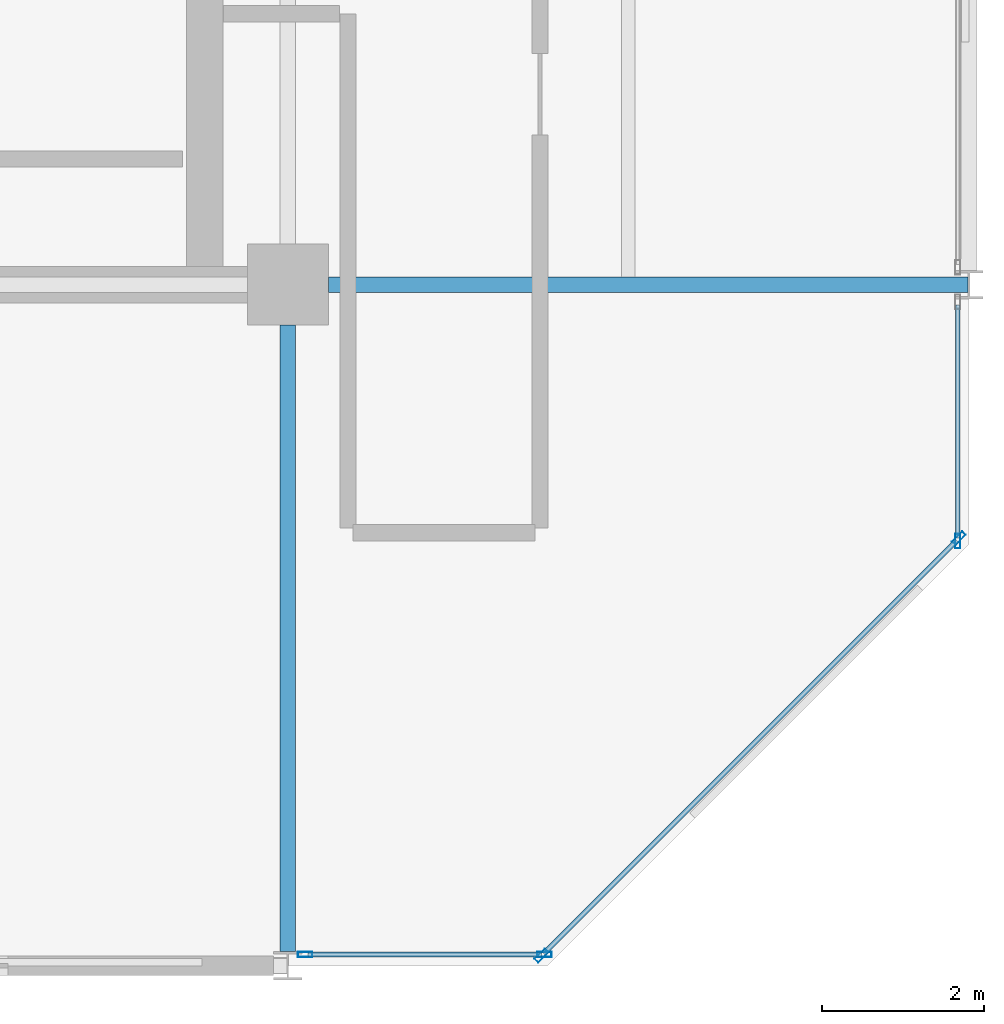
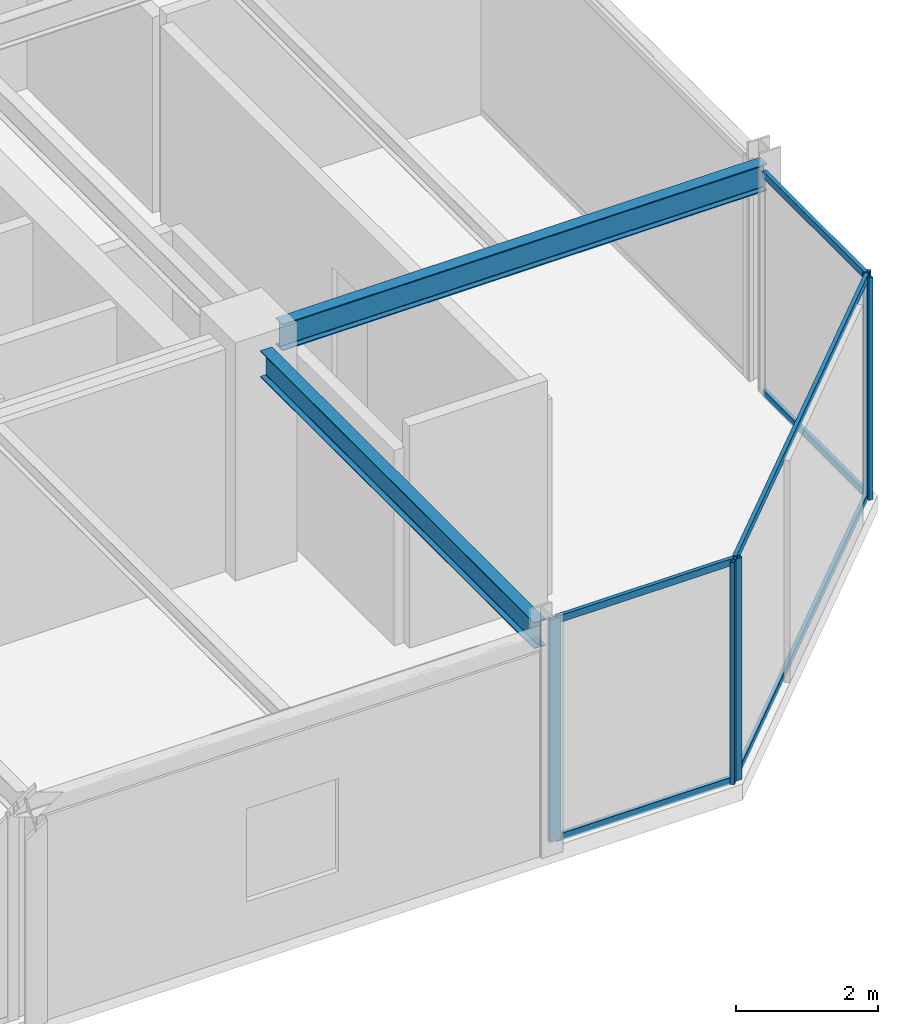
# One storey, part 13 of 25: 11 members, 2 beams, 3 elements without a shape of their own.
"""IFC4 building model written with IfcOpenShell, lengths in metres."""

from ifc_helpers import new_model, si_unit, direction, frame, origin, origin_2d, place, context, subcontext, project, spatial, hollow_rectangle, i_section, extrude, material, layer, layer_set, material_profile, profile_set, type_object, element, aggregate, save


model = new_model("IFC4")

# Units and contexts
model_context = context("Model", 3, precision=1e-05, world=origin(), true_north=direction((0.0, 1.0)))
body_context = subcontext(model_context, "Body", "Model", "MODEL_VIEW")
ifc_project = project(units=[si_unit("LENGTHUNIT", "METRE"), si_unit("AREAUNIT", "SQUARE_METRE"), si_unit("VOLUMEUNIT", "CUBIC_METRE"), si_unit("PLANEANGLEUNIT", "RADIAN"), si_unit("MASSUNIT", "GRAM", prefix="KILO")], contexts=[model_context])

# Site, building, storey
site_placement = place(None, origin())
site = spatial("IfcSite", under=ifc_project, at=site_placement, CompositionType="ELEMENT")
building_placement = place(site_placement, origin())
building = spatial("IfcBuilding", under=site, at=building_placement, Name="Nerrivon Quay Data Exchange", CompositionType="ELEMENT")
storey_placement = place(building_placement, frame((0.0, 0.0, 232.89990234375)))
storey = spatial("IfcBuildingStorey", under=building, at=storey_placement, Name="L55", CompositionType="ELEMENT", Elevation=232.89990234375)

# Beams
ifc_material_1 = material(Name="Steel Grade 350", Category="steel")
ifc_material_profile_1 = material_profile(ifc_material_1, i_section(OverallWidth=0.19091796875, OverallDepth=0.4599609375, WebThickness=0.010009765625, FlangeThickness=0.01611328125, FilletRadius=0.011474609375, at=origin_2d()), Name="460UB82.1")
ifc_profile_set_1 = profile_set([ifc_material_profile_1], Name="Steel Grade 350")
beam_type_1 = type_object("IfcBeamType", Name="BM-G5-460UB82", PredefinedType="BEAM", material=ifc_profile_set_1)
beam_1_placement = place(storey_placement, frame((34.10009765625, 8.39990234375, 3.59521484375), z_axis=(1.0, 0.0, 0.0), x_axis=(0.0, 1.0, 0.0)))
element("IfcBeam", 1, at=beam_1_placement, inside=storey, type_object=beam_type_1, Name="L55 EW Girder Y=8.4 (33.6..42.0)", PredefinedType="BEAM", context=body_context, shape_type="SweptSolid", body=[
    extrude(i_section(OverallWidth=0.19091796875, OverallDepth=0.4599609375, WebThickness=0.010009765625, FlangeThickness=0.01611328125, FilletRadius=0.011474609375, at=origin_2d()), origin(), (0.0, 0.0, 1.0), 7.889892578125),
])
ifc_material_profile_2 = material_profile(ifc_material_1, i_section(OverallWidth=0.18994140625, OverallDepth=0.4541015625, WebThickness=0.008544921875, FlangeThickness=0.0126953125, FilletRadius=0.011474609375, at=origin_2d()), Name="460UB67.1")
ifc_profile_set_2 = profile_set([ifc_material_profile_2], Name="Steel Grade 350")
beam_type_2 = type_object("IfcBeamType", Name="BM-G6-460UB67", PredefinedType="BEAM", material=ifc_profile_set_2)
beam_2_placement = place(storey_placement, frame((33.60009765625, 0.175048828125, 3.59814453125), z_axis=(0.0, 1.0, 0.0), x_axis=(-1.0, 0.0, 0.0)))
element("IfcBeam", 2, at=beam_2_placement, inside=storey, type_object=beam_type_2, Name="L55 NS Girder X=33.6 (0.0..8.4)", PredefinedType="BEAM", context=body_context, shape_type="SweptSolid", body=[
    extrude(i_section(OverallWidth=0.18994140625, OverallDepth=0.4541015625, WebThickness=0.008544921875, FlangeThickness=0.0126953125, FilletRadius=0.011474609375, at=origin_2d()), origin(), (0.0, 0.0, 1.0), 7.724853515625),
])

# Curtain wall, members
ifc_material_2 = material(Name="Anodised aluminium 6063-T6", Category="aluminium")
ifc_layer = layer(ifc_material_2, 0.195068359375)
ifc_layer_set = layer_set([ifc_layer], Name="Anodised aluminium 6063-T6")
curtain_wall_type = type_object("IfcCurtainWallType", Name="CW-SYS-06", PredefinedType="NOTDEFINED", material=ifc_layer_set)
curtain_wall_1_placement = place(storey_placement, origin())
curtain_wall_1 = element("IfcCurtainWall", 3, at=curtain_wall_1_placement, inside=storey, type_object=curtain_wall_type, Name="L55 Unitised Curtain Wall 1", PredefinedType="NOTDEFINED")
ifc_material_profile_3 = material_profile(ifc_material_2, hollow_rectangle(XDim=0.06494140625, YDim=0.179931640625, WallThickness=0.00341796875, at=origin_2d()), Name="ALU-MULL-180x65")
ifc_profile_set_3 = profile_set([ifc_material_profile_3], Name="Anodised aluminium 6063-T6")
member_type_1 = type_object("IfcMemberType", Name="CWM-180x65", PredefinedType="MULLION", material=ifc_profile_set_3)
member_1_placement = place(storey_placement, frame((41.87451171875, 5.2724609375, 0.0), z_axis=(0.0, 0.0, 1.0), x_axis=(0.707106781187, -0.707106781187, 0.0)))
member_1 = element("IfcMember", 4, at=member_1_placement, type_object=member_type_1, Name="CW06 mullion 1", PredefinedType="MULLION", context=body_context, shape_type="SweptSolid", body=[
    extrude(hollow_rectangle(XDim=0.06494140625, YDim=0.179931640625, WallThickness=0.00341796875, at=origin_2d()), origin(), (0.0, 0.0, 1.0), 3.8251953125),
])
member_2_placement = place(storey_placement, frame((36.7275390625, 0.12548828125, 0.0), z_axis=(0.0, 0.0, 1.0), x_axis=(0.707106781187, -0.707106781187, 0.0)))
member_2 = element("IfcMember", 5, at=member_2_placement, type_object=member_type_1, Name="CW06 mullion 2", PredefinedType="MULLION", context=body_context, shape_type="SweptSolid", body=[
    extrude(hollow_rectangle(XDim=0.06494140625, YDim=0.179931640625, WallThickness=0.00341796875, at=origin_2d()), origin(), (0.0, 0.0, 1.0), 3.8251953125),
])

curtain_wall_2_placement = place(storey_placement, origin())
curtain_wall_2 = element("IfcCurtainWall", 6, at=curtain_wall_2_placement, inside=storey, type_object=curtain_wall_type, Name="L55 Unitised Curtain Wall 2", PredefinedType="NOTDEFINED")
member_3_placement = place(storey_placement, frame((36.762451171875, 0.139892578125, 0.0), z_axis=(0.0, 0.0, 1.0), x_axis=(0.0, -1.0, 0.0)))
member_3 = element("IfcMember", 7, at=member_3_placement, type_object=member_type_1, Name="CW06 mullion 1", PredefinedType="MULLION", context=body_context, shape_type="SweptSolid", body=[
    extrude(hollow_rectangle(XDim=0.06494140625, YDim=0.179931640625, WallThickness=0.00341796875, at=origin_2d()), origin(), (0.0, 0.0, 1.0), 3.8251953125),
])
member_4_placement = place(storey_placement, frame((33.8125, 0.139892578125, 0.0), z_axis=(0.0, 0.0, 1.0), x_axis=(0.0, -1.0, 0.0)))
member_4 = element("IfcMember", 8, at=member_4_placement, type_object=member_type_1, Name="CW06 mullion 2", PredefinedType="MULLION", context=body_context, shape_type="SweptSolid", body=[
    extrude(hollow_rectangle(XDim=0.06494140625, YDim=0.179931640625, WallThickness=0.00341796875, at=origin_2d()), origin(), (0.0, 0.0, 1.0), 3.8251953125),
])

# Curtain wall, member
curtain_wall_3_placement = place(storey_placement, origin())
curtain_wall_3 = element("IfcCurtainWall", 9, at=curtain_wall_3_placement, inside=storey, type_object=curtain_wall_type, Name="L55 Unitised Curtain Wall 28", PredefinedType="NOTDEFINED")
member_5_placement = place(storey_placement, frame((41.860107421875, 5.237548828125, 0.0), z_axis=(0.0, 0.0, 1.0), x_axis=(1.0, 0.0, 0.0)))
member_5 = element("IfcMember", 10, at=member_5_placement, type_object=member_type_1, Name="CW06 mullion 2", PredefinedType="MULLION", context=body_context, shape_type="SweptSolid", body=[
    extrude(hollow_rectangle(XDim=0.06494140625, YDim=0.179931640625, WallThickness=0.00341796875, at=origin_2d()), origin(), (0.0, 0.0, 1.0), 3.8251953125),
])

# Member
ifc_material_profile_4 = material_profile(ifc_material_2, hollow_rectangle(XDim=0.06005859375, YDim=0.1201171875, WallThickness=0.003173828125, at=origin_2d()), Name="ALU-TRAN-120x60")
ifc_profile_set_4 = profile_set([ifc_material_profile_4], Name="Anodised aluminium 6063-T6")
member_type_2 = type_object("IfcMemberType", Name="CWT-120x60", PredefinedType="USERDEFINED", material=ifc_profile_set_4)
member_6_placement = place(storey_placement, frame((41.847900390625, 5.245849609375, 0.03271484375), z_axis=(-0.707106781187, -0.707106781187, 0.0), x_axis=(0.707106781187, -0.707106781187, 0.0)))
member_6 = element("IfcMember", 11, at=member_6_placement, type_object=member_type_2, Name="CW06 transom 1.1", ObjectType="TRANSOM", PredefinedType="USERDEFINED", context=body_context, shape_type="SweptSolid", body=[
    extrude(hollow_rectangle(XDim=0.06005859375, YDim=0.1201171875, WallThickness=0.003173828125, at=origin_2d()), origin(), (0.0, 0.0, 1.0), 7.20361328125),
])

member_7_placement = place(storey_placement, frame((41.847900390625, 5.245849609375, 3.79248046875), z_axis=(-0.707106781187, -0.707106781187, 0.0), x_axis=(0.707106781187, -0.707106781187, 0.0)))
member_7 = element("IfcMember", 12, at=member_7_placement, type_object=member_type_2, Name="CW06 transom 1.2", ObjectType="TRANSOM", PredefinedType="USERDEFINED", context=body_context, shape_type="SweptSolid", body=[
    extrude(hollow_rectangle(XDim=0.06005859375, YDim=0.1201171875, WallThickness=0.003173828125, at=origin_2d()), origin(), (0.0, 0.0, 1.0), 7.20361328125),
])

aggregate(curtain_wall_1, [member_1, member_2, member_6, member_7])

member_8_placement = place(storey_placement, frame((36.72509765625, 0.139892578125, 0.03271484375), z_axis=(-1.0, 0.0, 0.0), x_axis=(0.0, -1.0, 0.0)))
member_8 = element("IfcMember", 13, at=member_8_placement, type_object=member_type_2, Name="CW06 transom 1.1", ObjectType="TRANSOM", PredefinedType="USERDEFINED", context=body_context, shape_type="SweptSolid", body=[
    extrude(hollow_rectangle(XDim=0.06005859375, YDim=0.1201171875, WallThickness=0.003173828125, at=origin_2d()), origin(), (0.0, 0.0, 1.0), 2.875),
])

member_9_placement = place(storey_placement, frame((36.72509765625, 0.139892578125, 3.79248046875), z_axis=(-1.0, 0.0, 0.0), x_axis=(0.0, -1.0, 0.0)))
member_9 = element("IfcMember", 14, at=member_9_placement, type_object=member_type_2, Name="CW06 transom 1.2", ObjectType="TRANSOM", PredefinedType="USERDEFINED", context=body_context, shape_type="SweptSolid", body=[
    extrude(hollow_rectangle(XDim=0.06005859375, YDim=0.1201171875, WallThickness=0.003173828125, at=origin_2d()), origin(), (0.0, 0.0, 1.0), 2.875),
])

aggregate(curtain_wall_2, [member_3, member_4, member_8, member_9])

member_10_placement = place(storey_placement, frame((41.860107421875, 8.14990234375, 0.03271484375), z_axis=(0.0, -1.0, 0.0), x_axis=(1.0, 0.0, 0.0)))
member_10 = element("IfcMember", 15, at=member_10_placement, type_object=member_type_2, Name="CW06 transom 1.1", ObjectType="TRANSOM", PredefinedType="USERDEFINED", context=body_context, shape_type="SweptSolid", body=[
    extrude(hollow_rectangle(XDim=0.06005859375, YDim=0.1201171875, WallThickness=0.003173828125, at=origin_2d()), origin(), (0.0, 0.0, 1.0), 2.875),
])

member_11_placement = place(storey_placement, frame((41.860107421875, 8.14990234375, 3.79248046875), z_axis=(0.0, -1.0, 0.0), x_axis=(1.0, 0.0, 0.0)))
member_11 = element("IfcMember", 16, at=member_11_placement, type_object=member_type_2, Name="CW06 transom 1.2", ObjectType="TRANSOM", PredefinedType="USERDEFINED", context=body_context, shape_type="SweptSolid", body=[
    extrude(hollow_rectangle(XDim=0.06005859375, YDim=0.1201171875, WallThickness=0.003173828125, at=origin_2d()), origin(), (0.0, 0.0, 1.0), 2.875),
])

aggregate(curtain_wall_3, [member_5, member_10, member_11])

save(model, "model.ifc")
